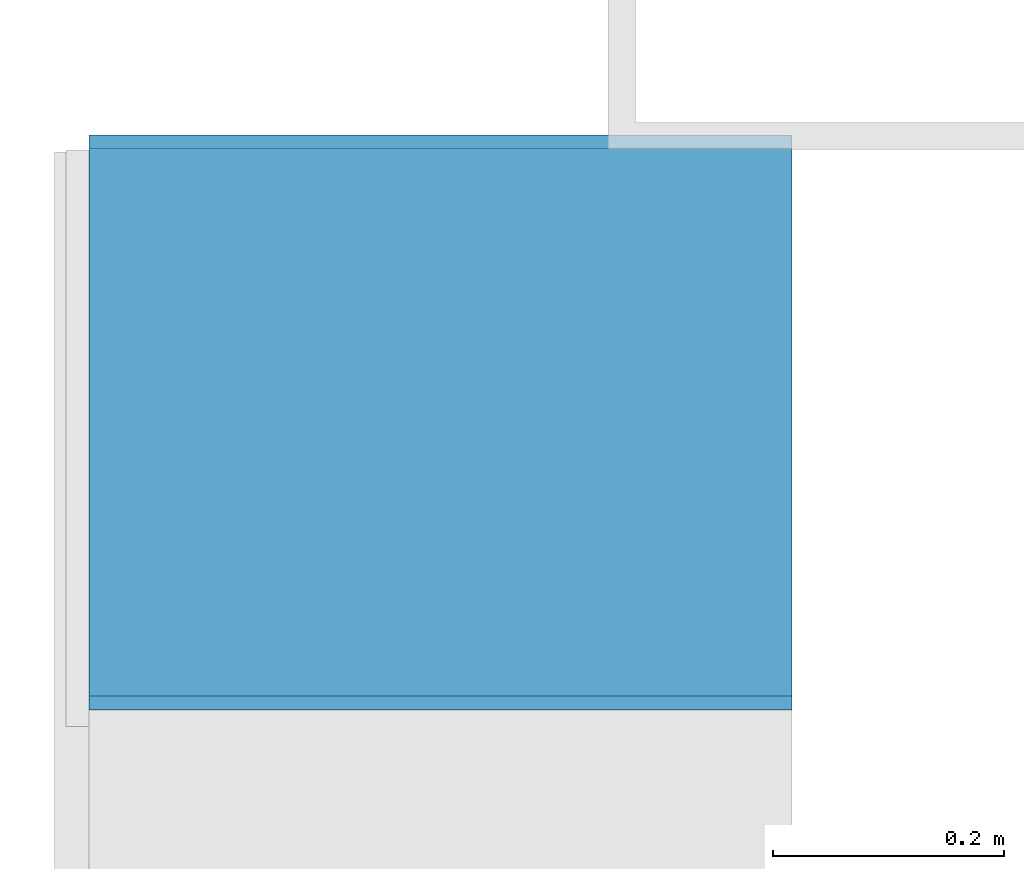
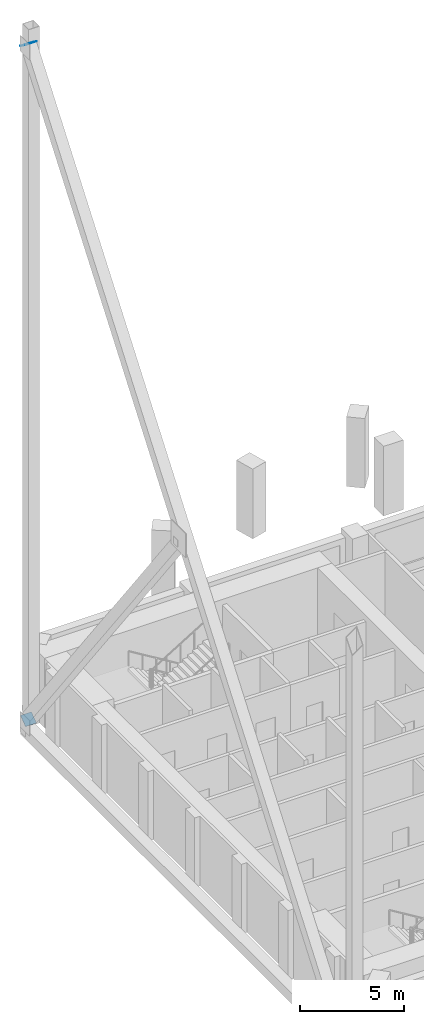
# One storey, part 9 of 16: 2 discrete accessories.
"""IFC4 building model written with IfcOpenShell, lengths in metres."""

import ifcopenshell
import ifcopenshell.guid

model = None  # the IFC model being written
_history = None  # IfcOwnerHistory: only IFC2X3 demands one
_inside = {}  # id of a spatial element -> (the spatial element, [elements in it])
_under = {}  # id of a project, library or spatial element -> (it, [spatial elements below it])
_declared = {}  # id of a project -> (the project, [libraries it declares])
_typed = {}  # id of a type object -> (the type object, [elements of that type])
_made_of = {}  # id of a material, layer set ... -> (it, [elements and type objects made of it])


def new_model(schema):
    """Start an empty IFC model of exactly this schema.

    Asked for "IFC4X3", IfcOpenShell would pick the latest addendum, in which some entities
    have other attributes; the version numbers below select the first issue.
    IFC2X3 requires an IfcOwnerHistory on every rooted entity: one is made here for all.
    """
    global model, _history
    if schema == "IFC4X3":
        model = ifcopenshell.file(schema_version=(4, 3, 0, 0))
    else:
        model = ifcopenshell.file(schema=schema)
    _inside.clear()
    _under.clear()
    _declared.clear()
    _typed.clear()
    _made_of.clear()
    _history = None
    if model.schema == "IFC2X3":
        org = make("IfcOrganization", Name="unknown")
        user = make(
            "IfcPersonAndOrganization",
            ThePerson=make("IfcPerson", FamilyName="unknown"),
            TheOrganization=org,
        )
        app = make(
            "IfcApplication",
            ApplicationDeveloper=org,
            Version="unknown",
            ApplicationFullName="unknown",
            ApplicationIdentifier="unknown",
        )
        _history = make(
            "IfcOwnerHistory",
            OwningUser=user,
            OwningApplication=app,
            ChangeAction="ADDED",
            CreationDate=0,
        )
    return model


def make(cls, **values):
    """One entity of the class cls with the attributes given. An attribute that is None is left unset."""
    return model.create_entity(
        cls, **{name: value for name, value in values.items() if value is not None}
    )


def rooted(cls, **values):
    """An entity with a GlobalId (a new one), such as an element, a storey or a relation."""
    return make(cls, GlobalId=ifcopenshell.guid.new(), OwnerHistory=_history, **values)


def si_unit(unit_type, name, prefix=None):
    """IfcSIUnit, for example si_unit("LENGTHUNIT", "METRE", prefix="MILLI")."""
    return make("IfcSIUnit", UnitType=unit_type, Prefix=prefix, Name=name)


def assignment(units):
    """IfcUnitAssignment: the units of a project."""
    return None if units is None else make("IfcUnitAssignment", Units=units)


def point(xyz):
    """IfcCartesianPoint."""
    return None if xyz is None else make("IfcCartesianPoint", Coordinates=xyz)


def direction(xyz):
    """IfcDirection."""
    return None if xyz is None else make("IfcDirection", DirectionRatios=xyz)


def frame(location, z_axis=None, x_axis=None):
    """IfcAxis2Placement3D, a coordinate frame: its origin and axes. An axis left out is left unset."""
    return make(
        "IfcAxis2Placement3D",
        Location=point(location),
        Axis=direction(z_axis),
        RefDirection=direction(x_axis),
    )


def frame_2d(location, x_axis=None):
    """IfcAxis2Placement2D, a coordinate frame in the plane: its origin and x axis."""
    return make(
        "IfcAxis2Placement2D", Location=point(location), RefDirection=direction(x_axis)
    )


def origin():
    """The frame at (0, 0, 0) with its axes left unset."""
    return frame((0.0, 0.0, 0.0))


def origin_2d():
    """The frame at (0, 0) in the plane with its x axis left unset."""
    return frame_2d((0.0, 0.0))


def place(relative_to, where):
    """IfcLocalPlacement: puts the frame where relative to a parent placement (None: the world)."""
    return make(
        "IfcLocalPlacement", PlacementRelTo=relative_to, RelativePlacement=where
    )


def context(
    kind, dimensions, precision=None, world=None, true_north=None, identifier=None
):
    """IfcGeometricRepresentationContext, for example the 3D "Model" context."""
    return make(
        "IfcGeometricRepresentationContext",
        ContextIdentifier=identifier,
        ContextType=kind,
        CoordinateSpaceDimension=dimensions,
        Precision=precision,
        WorldCoordinateSystem=world,
        TrueNorth=true_north,
    )


def subcontext(parent, identifier, kind, view, scale=None):
    """IfcGeometricRepresentationSubContext, for example "Body" below "Model"."""
    return make(
        "IfcGeometricRepresentationSubContext",
        ContextIdentifier=identifier,
        ContextType=kind,
        ParentContext=parent,
        TargetScale=scale,
        TargetView=view,
    )


def project(units=None, contexts=None):
    """IfcProject with its units and contexts."""
    return rooted(
        "IfcProject",
        Name="project",
        RepresentationContexts=contexts,
        UnitsInContext=assignment(units),
    )


def spatial(cls, under=None, at=None, **own):
    """A site, building, storey or space (cls), placed at a placement, below another one or the project."""
    s = rooted(cls, ObjectPlacement=at, **own)
    if under is not None:
        _under.setdefault(under.id(), (under, []))[1].append(s)
    return s


def profile(cls, at=None, kind="AREA", **sizes):
    """A parametric profile (cls). Its sizes go by their IFC names, for example OverallWidth=200.0."""
    return make(cls, ProfileType=kind, Position=at, **sizes)


def rectangle(**sizes):
    """IfcRectangleProfileDef."""
    return profile("IfcRectangleProfileDef", **sizes)


def extrude(swept, where, along, depth):
    """IfcExtrudedAreaSolid: the profile swept, set in the frame where, extruded along a direction by depth."""
    return make(
        "IfcExtrudedAreaSolid",
        SweptArea=swept,
        Position=where,
        ExtrudedDirection=direction(along),
        Depth=depth,
    )


def shape(context_of_items, identifier, shape_type, items):
    """IfcShapeRepresentation: the items that make up one representation, for example the "Body"."""
    return make(
        "IfcShapeRepresentation",
        ContextOfItems=context_of_items,
        RepresentationIdentifier=identifier,
        RepresentationType=shape_type,
        Items=items,
    )


def material(Name=None, Category=None):
    """IfcMaterial."""
    return make("IfcMaterial", Name=Name, Category=Category)


def material_profile(
    of_material, cross_section, Name=None, Category=None, Priority=None
):
    """IfcMaterialProfile: a cross section and its material."""
    return make(
        "IfcMaterialProfile",
        Name=Name,
        Material=of_material,
        Profile=cross_section,
        Priority=Priority,
        Category=Category,
    )


def profile_set(profiles, Name=None, composite=None):
    """IfcMaterialProfileSet."""
    return make(
        "IfcMaterialProfileSet",
        Name=Name,
        MaterialProfiles=profiles,
        CompositeProfile=composite,
    )


def made_of(thing, what):
    """Note that an element or type object is made of a material, layer set ...; save() writes the relation."""
    if what is not None:
        _made_of.setdefault(what.id(), (what, []))[1].append(thing)
    return thing


def type_object(cls, material=None, **own):
    """A type object (cls), such as IfcWallType, which elements share."""
    return made_of(rooted(cls, **own), material)


def element(
    cls,
    number,
    at=None,
    inside=None,
    cuts=None,
    type_object=None,
    material=None,
    context=None,
    identifier="Body",
    shape_type=None,
    held_by="IfcProductDefinitionShape",
    body=None,
    shapes=None,
    **own,
):
    """One element of the class cls, such as IfcWall. Its Tag is "e" and its number.

    at: its placement. inside: the storey or other place that contains it. cuts: it is an
    opening in that element (IfcRelVoidsElement). A single representation is given by context,
    identifier, shape_type and body (its items); several are given by shapes. held_by: the class
    of the entity that holds the representations. save() writes the other relations.
    """
    e = rooted(cls, Tag="e%d" % number, ObjectPlacement=at, **own)
    if body is not None:
        shapes = [shape(context, identifier, shape_type, body)]
    if shapes is not None:
        e.Representation = make(held_by, Representations=shapes)
    if inside is not None:
        _inside.setdefault(inside.id(), (inside, []))[1].append(e)
    if cuts is not None:
        rooted(
            "IfcRelVoidsElement", RelatingBuildingElement=cuts, RelatedOpeningElement=e
        )
    if type_object is not None:
        _typed.setdefault(type_object.id(), (type_object, []))[1].append(e)
    return made_of(e, material)


def aggregate(whole, parts):
    """IfcRelAggregates: a whole, such as a stair, and the parts it consists of."""
    return rooted("IfcRelAggregates", RelatingObject=whole, RelatedObjects=parts)


def save(model, path):
    """Write the relations noted so far, then the file.

    IfcRelAggregates (storeys below a building ...), IfcRelContainedInSpatialStructure (elements
    in a storey), IfcRelDefinesByType, IfcRelAssociatesMaterial and IfcRelDeclares: one each for
    every whole, place, type object, material and project.
    """
    for whole, parts in _under.values():
        aggregate(whole, parts)
    for where, things in _inside.values():
        rooted(
            "IfcRelContainedInSpatialStructure",
            RelatedElements=things,
            RelatingStructure=where,
        )
    for kind, things in _typed.values():
        rooted("IfcRelDefinesByType", RelatedObjects=things, RelatingType=kind)
    for what, things in _made_of.values():
        rooted("IfcRelAssociatesMaterial", RelatedObjects=things, RelatingMaterial=what)
    for by, libraries in _declared.values():
        rooted("IfcRelDeclares", RelatingContext=by, RelatedDefinitions=libraries)
    model.write(path)


model = new_model("IFC4")

# Units and contexts
model_context = context("Model", 3, precision=1e-05, world=origin(), true_north=direction((0.0, 1.0)))
body_context = subcontext(model_context, "Body", "Model", "MODEL_VIEW")
ifc_project = project(units=[si_unit("LENGTHUNIT", "METRE"), si_unit("AREAUNIT", "SQUARE_METRE"), si_unit("VOLUMEUNIT", "CUBIC_METRE"), si_unit("PLANEANGLEUNIT", "RADIAN"), si_unit("MASSUNIT", "GRAM", prefix="KILO")], contexts=[model_context])

# Site, building, storey
site_placement = place(None, origin())
site = spatial("IfcSite", under=ifc_project, at=site_placement, CompositionType="ELEMENT")
building_placement = place(site_placement, origin())
building = spatial("IfcBuilding", under=site, at=building_placement, Name="Cypress Arch Tower", CompositionType="ELEMENT")
storey_placement = place(building_placement, frame((0.0, 0.0, 197.39990234375)))
storey = spatial("IfcBuildingStorey", under=building, at=storey_placement, Name="L43", CompositionType="ELEMENT", Elevation=197.39990234375)

# Discrete accessories
ifc_material = material(Name="Steel ASTM A992", Category="steel")
ifc_material_profile = material_profile(ifc_material, rectangle(XDim=0.609619140625, YDim=0.609619140625, at=origin_2d()), Name="PL 20 610x610")
ifc_profile_set = profile_set([ifc_material_profile], Name="Steel ASTM A992")
discrete_accessory_type = type_object("IfcDiscreteAccessoryType", Name="End cap plate 610x610x20 Steel ASTM A992", PredefinedType="ANCHORPLATE", material=ifc_profile_set)
for number, where, z_axis, x_axis, name in (
    (1, (-30.7548828125, 15.052734375, 40.375244140625), (0.0, 0.601963784982, 0.798523388242), (-1.0, 0.0, 0.0), "End cap plate west bracing 4"),
    (2, (-30.7548828125, 15.052734375, 0.625), (0.0, 0.601963784982, -0.798523388242), (-1.0, 0.0, 0.0), "End cap plate west bracing 4"),
):
    element("IfcDiscreteAccessory", number, at=place(storey_placement, frame(where, z_axis=z_axis, x_axis=x_axis)), inside=storey, type_object=discrete_accessory_type, Name=name, PredefinedType="ANCHORPLATE", context=body_context, shape_type="SweptSolid", body=[
        extrude(rectangle(XDim=0.609619140625, YDim=0.609619140625, at=origin_2d()), origin(), (0.0, 0.0, 1.0), 0.019775390625),
    ])

save(model, "model.ifc")
